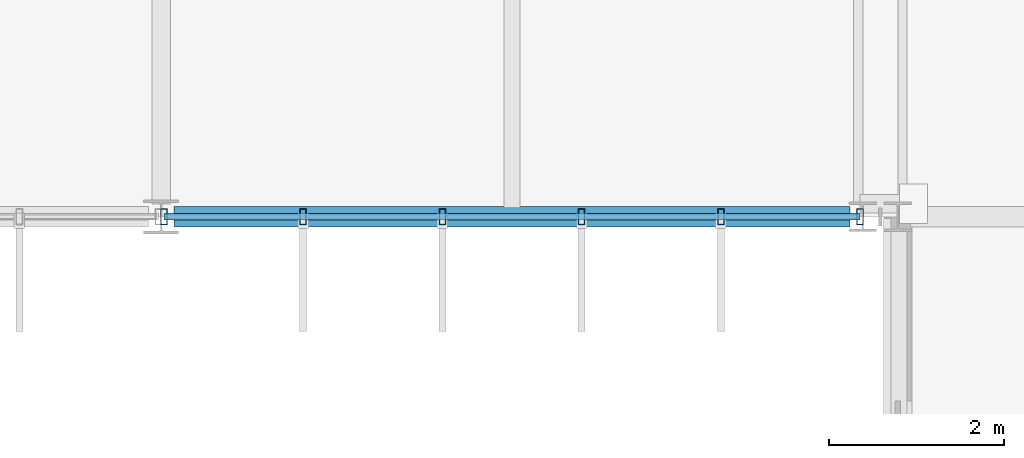
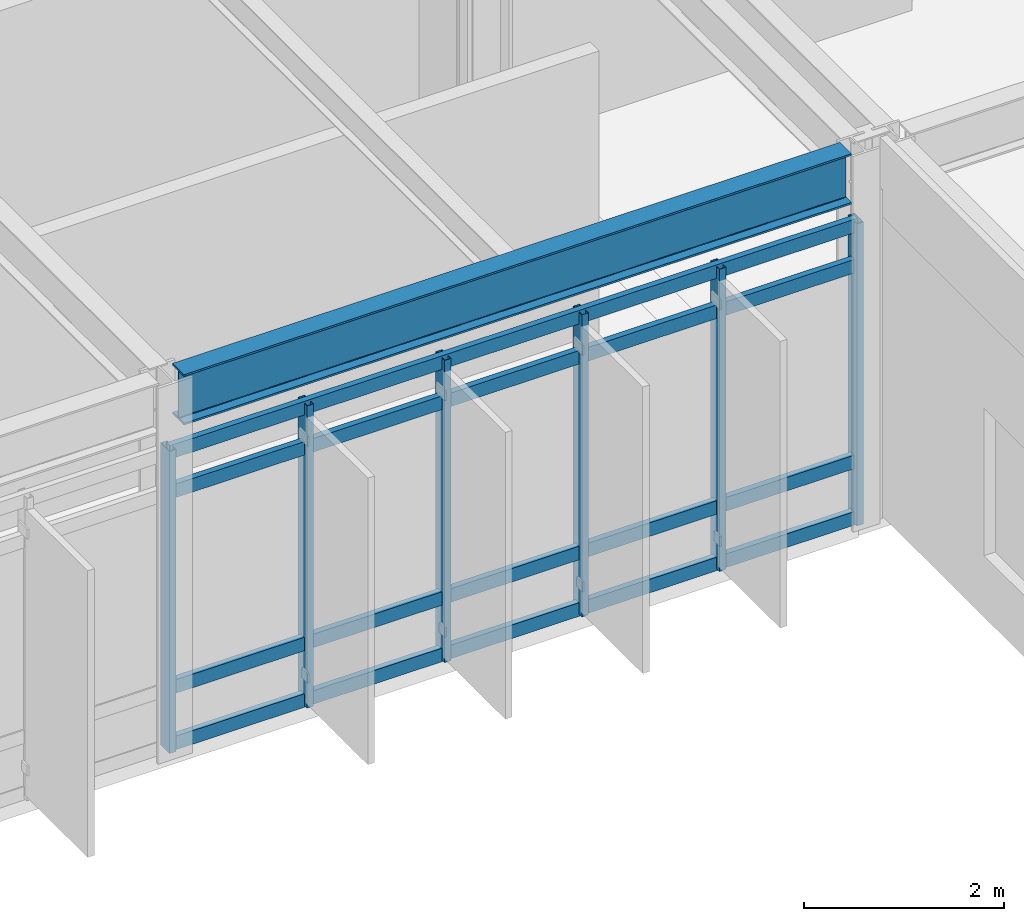
# One storey, part 43 of 104: 10 members, 1 beam, 1 element without a shape of its own.
"""IFC4 building model written with IfcOpenShell, lengths in metres."""

from ifc_helpers import new_model, si_unit, direction, frame, origin, origin_2d, place, context, subcontext, project, spatial, hollow_rectangle, i_section, extrude, material, material_profile, profile_set, type_object, element, aggregate, save


model = new_model("IFC4")

# Units and contexts
model_context = context("Model", 3, precision=1e-05, world=origin(), true_north=direction((0.0, 1.0)))
body_context = subcontext(model_context, "Body", "Model", "MODEL_VIEW")
ifc_project = project(units=[si_unit("LENGTHUNIT", "METRE"), si_unit("AREAUNIT", "SQUARE_METRE"), si_unit("VOLUMEUNIT", "CUBIC_METRE"), si_unit("PLANEANGLEUNIT", "RADIAN"), si_unit("MASSUNIT", "GRAM", prefix="KILO")], contexts=[model_context])

# Site, building, storey
site_placement = place(None, origin())
site = spatial("IfcSite", under=ifc_project, at=site_placement, CompositionType="ELEMENT")
building_placement = place(site_placement, origin())
building = spatial("IfcBuilding", under=site, at=building_placement, Name="Zulena Civic Courthouse", CompositionType="ELEMENT")
storey_placement = place(building_placement, frame((0.0, 0.0, 10.800048828125)))
storey = spatial("IfcBuildingStorey", under=building, at=storey_placement, Name="L02", CompositionType="ELEMENT", Elevation=10.800048828125)

# Curtain wall, members
ifc_material_1 = material(Name="Double-silver low-E laminated solar-control glass", Category="glass")
curtain_wall_type = type_object("IfcCurtainWallType", Name="CW_7940x3690", PredefinedType="USERDEFINED", material=ifc_material_1)
curtain_wall_placement = place(storey_placement, origin())
curtain_wall = element("IfcCurtainWall", 1, at=curtain_wall_placement, inside=storey, type_object=curtain_wall_type, Name="cw:V4:L02:3:0", ObjectType="UNITISED CURTAIN WALL", PredefinedType="USERDEFINED")
ifc_material_2 = material(Name="Bronze anodised thermally broken aluminium AA6063-T6", Category="aluminium")
ifc_material_profile_1 = material_profile(ifc_material_2, hollow_rectangle(XDim=0.074951171875, YDim=0.179931640625, WallThickness=0.0048828125, at=origin_2d()), Name="CWM180X75X5")
ifc_profile_set_1 = profile_set([ifc_material_profile_1], Name="Bronze anodised thermally broken aluminium AA6063-T6")
member_type_1 = type_object("IfcMemberType", Name="CWMullion_180x75", PredefinedType="MULLION", material=ifc_profile_set_1)
member_1_placement = place(storey_placement, frame((123.969970703125, 15.199951171875, 0.0), z_axis=(0.0, 0.0, 1.0), x_axis=(1.0, 0.0, 0.0)))
member_1 = element("IfcMember", 2, at=member_1_placement, type_object=member_type_1, Name="cw:V4:L02:3:0:mull:0", PredefinedType="MULLION", context=body_context, shape_type="SweptSolid", body=[
    extrude(hollow_rectangle(XDim=0.074951171875, YDim=0.179931640625, WallThickness=0.0048828125, at=origin_2d()), origin(), (0.0, 0.0, 1.0), 3.68994140625),
])
member_2_placement = place(storey_placement, frame((122.382080078125, 15.199951171875, 0.0), z_axis=(0.0, 0.0, 1.0), x_axis=(1.0, 0.0, 0.0)))
member_2 = element("IfcMember", 3, at=member_2_placement, type_object=member_type_1, Name="cw:V4:L02:3:0:mull:1", PredefinedType="MULLION", context=body_context, shape_type="SweptSolid", body=[
    extrude(hollow_rectangle(XDim=0.074951171875, YDim=0.179931640625, WallThickness=0.0048828125, at=origin_2d()), origin(), (0.0, 0.0, 1.0), 3.68994140625),
])
member_3_placement = place(storey_placement, frame((120.7939453125, 15.199951171875, 0.0), z_axis=(0.0, 0.0, 1.0), x_axis=(1.0, 0.0, 0.0)))
member_3 = element("IfcMember", 4, at=member_3_placement, type_object=member_type_1, Name="cw:V4:L02:3:0:mull:2", PredefinedType="MULLION", context=body_context, shape_type="SweptSolid", body=[
    extrude(hollow_rectangle(XDim=0.074951171875, YDim=0.179931640625, WallThickness=0.0048828125, at=origin_2d()), origin(), (0.0, 0.0, 1.0), 3.68994140625),
])
member_4_placement = place(storey_placement, frame((119.2060546875, 15.199951171875, 0.0), z_axis=(0.0, 0.0, 1.0), x_axis=(1.0, 0.0, 0.0)))
member_4 = element("IfcMember", 5, at=member_4_placement, type_object=member_type_1, Name="cw:V4:L02:3:0:mull:3", PredefinedType="MULLION", context=body_context, shape_type="SweptSolid", body=[
    extrude(hollow_rectangle(XDim=0.074951171875, YDim=0.179931640625, WallThickness=0.0048828125, at=origin_2d()), origin(), (0.0, 0.0, 1.0), 3.68994140625),
])
member_5_placement = place(storey_placement, frame((117.617919921875, 15.199951171875, 0.0), z_axis=(0.0, 0.0, 1.0), x_axis=(1.0, 0.0, 0.0)))
member_5 = element("IfcMember", 6, at=member_5_placement, type_object=member_type_1, Name="cw:V4:L02:3:0:mull:4", PredefinedType="MULLION", context=body_context, shape_type="SweptSolid", body=[
    extrude(hollow_rectangle(XDim=0.074951171875, YDim=0.179931640625, WallThickness=0.0048828125, at=origin_2d()), origin(), (0.0, 0.0, 1.0), 3.68994140625),
])
member_6_placement = place(storey_placement, frame((116.030029296875, 15.199951171875, 0.0), z_axis=(0.0, 0.0, 1.0), x_axis=(1.0, 0.0, 0.0)))
member_6 = element("IfcMember", 7, at=member_6_placement, type_object=member_type_1, Name="cw:V4:L02:3:0:mull:5", PredefinedType="MULLION", context=body_context, shape_type="SweptSolid", body=[
    extrude(hollow_rectangle(XDim=0.074951171875, YDim=0.179931640625, WallThickness=0.0048828125, at=origin_2d()), origin(), (0.0, 0.0, 1.0), 3.68994140625),
])
ifc_material_profile_2 = material_profile(ifc_material_2, hollow_rectangle(XDim=0.070068359375, YDim=0.1650390625, WallThickness=0.00390625, at=origin_2d()), Name="CWT165X70X4")
ifc_profile_set_2 = profile_set([ifc_material_profile_2], Name="Bronze anodised thermally broken aluminium AA6063-T6")
member_type_2 = type_object("IfcMemberType", Name="CWTransom_165x70", PredefinedType="USERDEFINED", material=ifc_profile_set_2)
member_7_placement = place(storey_placement, frame((123.969970703125, 15.199951171875, 0.06005859375), z_axis=(-1.0, 0.0, 0.0), x_axis=(0.0, -1.0, 0.0)))
member_7 = element("IfcMember", 8, at=member_7_placement, type_object=member_type_2, Name="cw:V4:L02:3:0:tran:0", ObjectType="TRANSOM", PredefinedType="USERDEFINED", context=body_context, shape_type="SweptSolid", body=[
    extrude(hollow_rectangle(XDim=0.070068359375, YDim=0.1650390625, WallThickness=0.00390625, at=origin_2d()), origin(), (0.0, 0.0, 1.0), 7.93994140625),
])
member_8_placement = place(storey_placement, frame((123.969970703125, 15.199951171875, 0.75), z_axis=(-1.0, 0.0, 0.0), x_axis=(0.0, -1.0, 0.0)))
member_8 = element("IfcMember", 9, at=member_8_placement, type_object=member_type_2, Name="cw:V4:L02:3:0:tran:1", ObjectType="TRANSOM", PredefinedType="USERDEFINED", context=body_context, shape_type="SweptSolid", body=[
    extrude(hollow_rectangle(XDim=0.070068359375, YDim=0.1650390625, WallThickness=0.00390625, at=origin_2d()), origin(), (0.0, 0.0, 1.0), 7.93994140625),
])
member_9_placement = place(storey_placement, frame((123.969970703125, 15.199951171875, 3.139892578125), z_axis=(-1.0, 0.0, 0.0), x_axis=(0.0, -1.0, 0.0)))
member_9 = element("IfcMember", 10, at=member_9_placement, type_object=member_type_2, Name="cw:V4:L02:3:0:tran:2", ObjectType="TRANSOM", PredefinedType="USERDEFINED", context=body_context, shape_type="SweptSolid", body=[
    extrude(hollow_rectangle(XDim=0.070068359375, YDim=0.1650390625, WallThickness=0.00390625, at=origin_2d()), origin(), (0.0, 0.0, 1.0), 7.93994140625),
])
member_10_placement = place(storey_placement, frame((123.969970703125, 15.199951171875, 3.6298828125), z_axis=(-1.0, 0.0, 0.0), x_axis=(0.0, -1.0, 0.0)))
member_10 = element("IfcMember", 11, at=member_10_placement, type_object=member_type_2, Name="cw:V4:L02:3:0:tran:3", ObjectType="TRANSOM", PredefinedType="USERDEFINED", context=body_context, shape_type="SweptSolid", body=[
    extrude(hollow_rectangle(XDim=0.070068359375, YDim=0.1650390625, WallThickness=0.00390625, at=origin_2d()), origin(), (0.0, 0.0, 1.0), 7.93994140625),
])
aggregate(curtain_wall, [member_1, member_2, member_3, member_4, member_5, member_6, member_7, member_8, member_9, member_10])

# Beam
ifc_material_3 = material(Name="Steel ASTM A992 Grade 50", Category="steel")
ifc_material_profile_3 = material_profile(ifc_material_3, i_section(OverallWidth=0.22998046875, OverallDepth=0.616943359375, WebThickness=0.01318359375, FlangeThickness=0.022216796875, FilletRadius=0.0126953125, at=origin_2d()), Name="W24X94")
ifc_profile_set_3 = profile_set([ifc_material_profile_3], Name="Steel ASTM A992 Grade 50")
beam_type = type_object("IfcBeamType", Name="Spandrel_W24X94", PredefinedType="SPANDREL", material=ifc_profile_set_3)
beam_placement = place(storey_placement, frame((116.14501953125, 15.199951171875, 4.281494140625), z_axis=(1.0, 0.0, 0.0), x_axis=(0.0, 1.0, 0.0)))
element("IfcBeam", 12, at=beam_placement, inside=storey, type_object=beam_type, Name="beam:X:V4:L02:15.2:116.0_124.0", PredefinedType="SPANDREL", context=body_context, shape_type="SweptSolid", body=[
    extrude(i_section(OverallWidth=0.22998046875, OverallDepth=0.616943359375, WebThickness=0.01318359375, FlangeThickness=0.022216796875, FilletRadius=0.0126953125, at=origin_2d()), origin(), (0.0, 0.0, 1.0), 7.7099609375),
])

save(model, "model.ifc")
